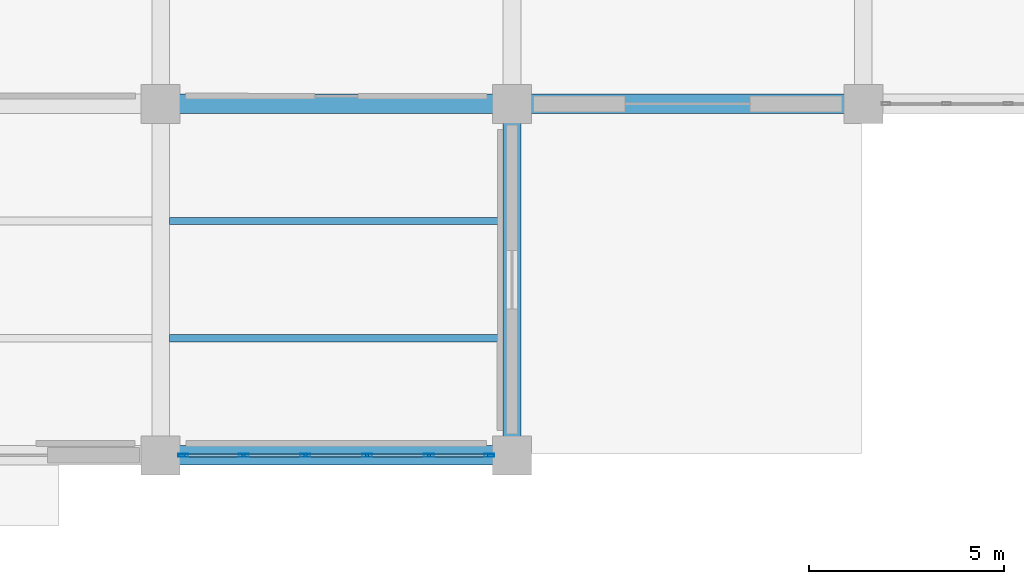
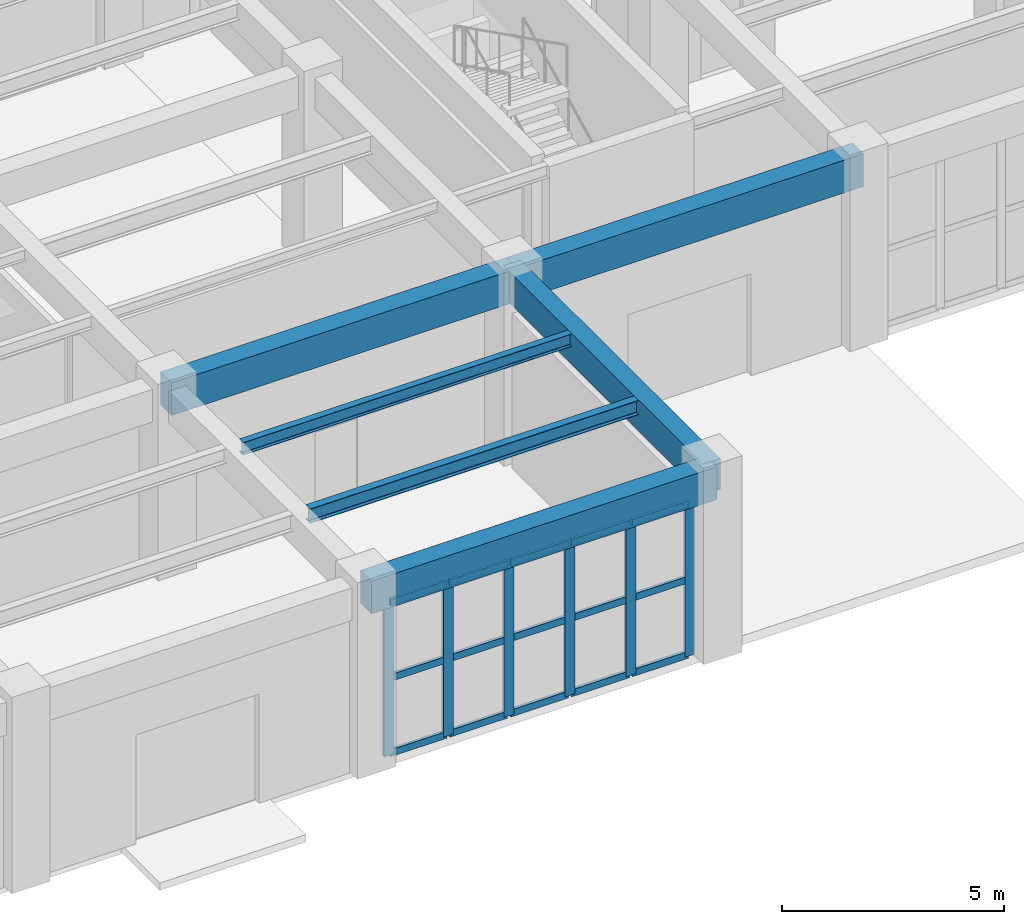
# One storey, part 77 of 140: 21 members, 6 beams, 1 element without a shape of its own.
"""IFC4 building model written with IfcOpenShell, lengths in metres."""

from ifc_helpers import new_model, si_unit, direction, frame, origin, origin_2d, place, context, subcontext, project, spatial, rectangle, hollow_rectangle, i_section, extrude, material, material_profile, profile_set, type_object, element, aggregate, save


model = new_model("IFC4")

# Units and contexts
model_context = context("Model", 3, precision=1e-05, world=origin(), true_north=direction((0.0, 1.0)))
body_context = subcontext(model_context, "Body", "Model", "MODEL_VIEW")
ifc_project = project(units=[si_unit("LENGTHUNIT", "METRE"), si_unit("AREAUNIT", "SQUARE_METRE"), si_unit("VOLUMEUNIT", "CUBIC_METRE"), si_unit("PLANEANGLEUNIT", "RADIAN"), si_unit("MASSUNIT", "GRAM", prefix="KILO")], contexts=[model_context])

# Site, building, storey
site_placement = place(None, origin())
site = spatial("IfcSite", under=ifc_project, at=site_placement, CompositionType="ELEMENT")
building_placement = place(site_placement, origin())
building = spatial("IfcBuilding", under=site, at=building_placement, Name="Haizhuo Lancet Aquarium", CompositionType="ELEMENT")
storey_placement = place(building_placement, origin())
storey = spatial("IfcBuildingStorey", under=building, at=storey_placement, Name="L00", CompositionType="ELEMENT", Elevation=0.0)

# Beams
ifc_material_1 = material(Name="Concrete C40/50", Category="concrete")
ifc_material_profile_1 = material_profile(ifc_material_1, rectangle(XDim=0.449951171875, YDim=0.85009765625, at=origin_2d()), Name="RC-BM 450x850")
ifc_profile_set_1 = profile_set([ifc_material_profile_1], Name="Concrete C40/50")
beam_type_1 = type_object("IfcBeamType", Name="BM-RC-450x850", PredefinedType="BEAM", material=ifc_profile_set_1)
beam_1_placement = place(storey_placement, frame((54.0, -36.0, 4.695068359375), z_axis=(0.0, 1.0, 0.0), x_axis=(-1.0, 0.0, 0.0)))
element("IfcBeam", 1, at=beam_1_placement, inside=storey, type_object=beam_type_1, Name="L00 V3 primary girder BM-L00-V3-021", PredefinedType="BEAM", context=body_context, shape_type="SweptSolid", body=[
    extrude(rectangle(XDim=0.449951171875, YDim=0.85009765625, at=origin_2d()), origin(), (0.0, 0.0, 1.0), 9.0),
])
ifc_material_profile_2 = material_profile(ifc_material_1, rectangle(XDim=0.5, YDim=0.89990234375, at=origin_2d()), Name="RC-BM 500x900")
ifc_profile_set_2 = profile_set([ifc_material_profile_2], Name="Concrete C40/50")
beam_type_2 = type_object("IfcBeamType", Name="BM-RC-500x900", PredefinedType="BEAM", material=ifc_profile_set_2)
for number, where, z_axis, x_axis, name in (
    (2, (45.0, -36.0, 4.669921875), (1.0, 0.0, 0.0), (0.0, 1.0, 0.0), "L00 V3 primary girder BM-L00-V3-015"),
    (3, (45.0, -27.0, 4.669921875), (1.0, 0.0, 0.0), (0.0, 1.0, 0.0), "L00 V3 primary girder BM-L00-V3-017"),
    (4, (54.0, -27.0, 4.669921875), (1.0, 0.0, 0.0), (0.0, 1.0, 0.0), "L00 V3 primary girder BM-L00-V3-023"),
):
    element("IfcBeam", number, at=place(storey_placement, frame(where, z_axis=z_axis, x_axis=x_axis)), inside=storey, type_object=beam_type_2, Name=name, PredefinedType="BEAM", context=body_context, shape_type="SweptSolid", body=[
        extrude(rectangle(XDim=0.5, YDim=0.89990234375, at=origin_2d()), origin(), (0.0, 0.0, 1.0), 9.0),
    ])

# Curtain wall, members
ifc_material_2 = material(Name="Aluminium 6063-T6", Category="aluminium")
curtain_wall_type = type_object("IfcCurtainWallType", Name="CWO-7910x4220", PredefinedType="NOTDEFINED", material=ifc_material_2)
curtain_wall_placement = place(storey_placement, origin())
curtain_wall = element("IfcCurtainWall", 5, at=curtain_wall_placement, inside=storey, type_object=curtain_wall_type, Name="L00 curtain wall CW-V3-L00-036", PredefinedType="NOTDEFINED")
ifc_material_profile_3 = material_profile(ifc_material_2, hollow_rectangle(XDim=0.080078125, YDim=0.260009765625, WallThickness=0.0048828125, at=origin_2d()), Name="ALU-M 80x260x5")
ifc_profile_set_3 = profile_set([ifc_material_profile_3], Name="Aluminium 6063-T6")
member_type_1 = type_object("IfcMemberType", Name="CW-MUL-3", PredefinedType="MULLION", material=ifc_profile_set_3)
member_1_placement = place(storey_placement, frame((53.4150390625, -36.0, 0.0), z_axis=(0.0, 0.0, 1.0), x_axis=(0.0, -1.0, 0.0)))
member_1 = element("IfcMember", 6, at=member_1_placement, type_object=member_type_1, Name="CWO-79x42 mullion 1", PredefinedType="MULLION", context=body_context, shape_type="SweptSolid", body=[
    extrude(hollow_rectangle(XDim=0.080078125, YDim=0.260009765625, WallThickness=0.0048828125, at=origin_2d()), origin(), (0.0, 0.0, 1.0), 4.219970703125),
])
member_2_placement = place(storey_placement, frame((51.873046875, -36.0, 0.0), z_axis=(0.0, 0.0, 1.0), x_axis=(0.0, -1.0, 0.0)))
member_2 = element("IfcMember", 7, at=member_2_placement, type_object=member_type_1, Name="CWO-79x42 mullion 2", PredefinedType="MULLION", context=body_context, shape_type="SweptSolid", body=[
    extrude(hollow_rectangle(XDim=0.080078125, YDim=0.260009765625, WallThickness=0.0048828125, at=origin_2d()), origin(), (0.0, 0.0, 1.0), 4.219970703125),
])
member_3_placement = place(storey_placement, frame((50.291015625, -36.0, 0.0), z_axis=(0.0, 0.0, 1.0), x_axis=(0.0, -1.0, 0.0)))
member_3 = element("IfcMember", 8, at=member_3_placement, type_object=member_type_1, Name="CWO-79x42 mullion 3", PredefinedType="MULLION", context=body_context, shape_type="SweptSolid", body=[
    extrude(hollow_rectangle(XDim=0.080078125, YDim=0.260009765625, WallThickness=0.0048828125, at=origin_2d()), origin(), (0.0, 0.0, 1.0), 4.219970703125),
])
member_4_placement = place(storey_placement, frame((48.708984375, -36.0, 0.0), z_axis=(0.0, 0.0, 1.0), x_axis=(0.0, -1.0, 0.0)))
member_4 = element("IfcMember", 9, at=member_4_placement, type_object=member_type_1, Name="CWO-79x42 mullion 4", PredefinedType="MULLION", context=body_context, shape_type="SweptSolid", body=[
    extrude(hollow_rectangle(XDim=0.080078125, YDim=0.260009765625, WallThickness=0.0048828125, at=origin_2d()), origin(), (0.0, 0.0, 1.0), 4.219970703125),
])
member_5_placement = place(storey_placement, frame((47.126953125, -36.0, 0.0), z_axis=(0.0, 0.0, 1.0), x_axis=(0.0, -1.0, 0.0)))
member_5 = element("IfcMember", 10, at=member_5_placement, type_object=member_type_1, Name="CWO-79x42 mullion 5", PredefinedType="MULLION", context=body_context, shape_type="SweptSolid", body=[
    extrude(hollow_rectangle(XDim=0.080078125, YDim=0.260009765625, WallThickness=0.0048828125, at=origin_2d()), origin(), (0.0, 0.0, 1.0), 4.219970703125),
])
member_6_placement = place(storey_placement, frame((45.5849609375, -36.0, 0.0), z_axis=(0.0, 0.0, 1.0), x_axis=(0.0, -1.0, 0.0)))
member_6 = element("IfcMember", 11, at=member_6_placement, type_object=member_type_1, Name="CWO-79x42 mullion 6", PredefinedType="MULLION", context=body_context, shape_type="SweptSolid", body=[
    extrude(hollow_rectangle(XDim=0.080078125, YDim=0.260009765625, WallThickness=0.0048828125, at=origin_2d()), origin(), (0.0, 0.0, 1.0), 4.219970703125),
])
ifc_material_profile_4 = material_profile(ifc_material_2, hollow_rectangle(XDim=0.080078125, YDim=0.18994140625, WallThickness=0.0048828125, at=origin_2d()), Name="ALU-T 80x190x5")
ifc_profile_set_4 = profile_set([ifc_material_profile_4], Name="Aluminium 6063-T6")
member_type_2 = type_object("IfcMemberType", Name="CW-TRN-3", PredefinedType="NOTDEFINED", material=ifc_profile_set_4)
member_7_placement = place(storey_placement, frame((53.375, -36.0, 0.0400390625), z_axis=(-1.0, 0.0, 0.0), x_axis=(0.0, -1.0, 0.0)))
member_7 = element("IfcMember", 12, at=member_7_placement, type_object=member_type_2, Name="CWO-79x42 transom 1.1", ObjectType="TRANSOM", PredefinedType="USERDEFINED", context=body_context, shape_type="SweptSolid", body=[
    extrude(hollow_rectangle(XDim=0.080078125, YDim=0.18994140625, WallThickness=0.0048828125, at=origin_2d()), origin(), (0.0, 0.0, 1.0), 1.4619140625),
])
member_8_placement = place(storey_placement, frame((53.375, -36.0, 2.110107421875), z_axis=(-1.0, 0.0, 0.0), x_axis=(0.0, -1.0, 0.0)))
member_8 = element("IfcMember", 13, at=member_8_placement, type_object=member_type_2, Name="CWO-79x42 transom 1.2", ObjectType="TRANSOM", PredefinedType="USERDEFINED", context=body_context, shape_type="SweptSolid", body=[
    extrude(hollow_rectangle(XDim=0.080078125, YDim=0.18994140625, WallThickness=0.0048828125, at=origin_2d()), origin(), (0.0, 0.0, 1.0), 1.4619140625),
])
member_9_placement = place(storey_placement, frame((53.375, -36.0, 4.179931640625), z_axis=(-1.0, 0.0, 0.0), x_axis=(0.0, -1.0, 0.0)))
member_9 = element("IfcMember", 14, at=member_9_placement, type_object=member_type_2, Name="CWO-79x42 transom 1.3", ObjectType="TRANSOM", PredefinedType="USERDEFINED", context=body_context, shape_type="SweptSolid", body=[
    extrude(hollow_rectangle(XDim=0.080078125, YDim=0.18994140625, WallThickness=0.0048828125, at=origin_2d()), origin(), (0.0, 0.0, 1.0), 1.4619140625),
])
member_10_placement = place(storey_placement, frame((51.8330078125, -36.0, 0.0400390625), z_axis=(-1.0, 0.0, 0.0), x_axis=(0.0, -1.0, 0.0)))
member_10 = element("IfcMember", 15, at=member_10_placement, type_object=member_type_2, Name="CWO-79x42 transom 2.1", ObjectType="TRANSOM", PredefinedType="USERDEFINED", context=body_context, shape_type="SweptSolid", body=[
    extrude(hollow_rectangle(XDim=0.080078125, YDim=0.18994140625, WallThickness=0.0048828125, at=origin_2d()), origin(), (0.0, 0.0, 1.0), 1.501953125),
])
member_11_placement = place(storey_placement, frame((51.8330078125, -36.0, 2.110107421875), z_axis=(-1.0, 0.0, 0.0), x_axis=(0.0, -1.0, 0.0)))
member_11 = element("IfcMember", 16, at=member_11_placement, type_object=member_type_2, Name="CWO-79x42 transom 2.2", ObjectType="TRANSOM", PredefinedType="USERDEFINED", context=body_context, shape_type="SweptSolid", body=[
    extrude(hollow_rectangle(XDim=0.080078125, YDim=0.18994140625, WallThickness=0.0048828125, at=origin_2d()), origin(), (0.0, 0.0, 1.0), 1.501953125),
])
member_12_placement = place(storey_placement, frame((51.8330078125, -36.0, 4.179931640625), z_axis=(-1.0, 0.0, 0.0), x_axis=(0.0, -1.0, 0.0)))
member_12 = element("IfcMember", 17, at=member_12_placement, type_object=member_type_2, Name="CWO-79x42 transom 2.3", ObjectType="TRANSOM", PredefinedType="USERDEFINED", context=body_context, shape_type="SweptSolid", body=[
    extrude(hollow_rectangle(XDim=0.080078125, YDim=0.18994140625, WallThickness=0.0048828125, at=origin_2d()), origin(), (0.0, 0.0, 1.0), 1.501953125),
])
member_13_placement = place(storey_placement, frame((50.2509765625, -36.0, 0.0400390625), z_axis=(-1.0, 0.0, 0.0), x_axis=(0.0, -1.0, 0.0)))
member_13 = element("IfcMember", 18, at=member_13_placement, type_object=member_type_2, Name="CWO-79x42 transom 3.1", ObjectType="TRANSOM", PredefinedType="USERDEFINED", context=body_context, shape_type="SweptSolid", body=[
    extrude(hollow_rectangle(XDim=0.080078125, YDim=0.18994140625, WallThickness=0.0048828125, at=origin_2d()), origin(), (0.0, 0.0, 1.0), 1.501953125),
])
member_14_placement = place(storey_placement, frame((50.2509765625, -36.0, 2.110107421875), z_axis=(-1.0, 0.0, 0.0), x_axis=(0.0, -1.0, 0.0)))
member_14 = element("IfcMember", 19, at=member_14_placement, type_object=member_type_2, Name="CWO-79x42 transom 3.2", ObjectType="TRANSOM", PredefinedType="USERDEFINED", context=body_context, shape_type="SweptSolid", body=[
    extrude(hollow_rectangle(XDim=0.080078125, YDim=0.18994140625, WallThickness=0.0048828125, at=origin_2d()), origin(), (0.0, 0.0, 1.0), 1.501953125),
])
member_15_placement = place(storey_placement, frame((50.2509765625, -36.0, 4.179931640625), z_axis=(-1.0, 0.0, 0.0), x_axis=(0.0, -1.0, 0.0)))
member_15 = element("IfcMember", 20, at=member_15_placement, type_object=member_type_2, Name="CWO-79x42 transom 3.3", ObjectType="TRANSOM", PredefinedType="USERDEFINED", context=body_context, shape_type="SweptSolid", body=[
    extrude(hollow_rectangle(XDim=0.080078125, YDim=0.18994140625, WallThickness=0.0048828125, at=origin_2d()), origin(), (0.0, 0.0, 1.0), 1.501953125),
])
member_16_placement = place(storey_placement, frame((48.6689453125, -36.0, 0.0400390625), z_axis=(-1.0, 0.0, 0.0), x_axis=(0.0, -1.0, 0.0)))
member_16 = element("IfcMember", 21, at=member_16_placement, type_object=member_type_2, Name="CWO-79x42 transom 4.1", ObjectType="TRANSOM", PredefinedType="USERDEFINED", context=body_context, shape_type="SweptSolid", body=[
    extrude(hollow_rectangle(XDim=0.080078125, YDim=0.18994140625, WallThickness=0.0048828125, at=origin_2d()), origin(), (0.0, 0.0, 1.0), 1.501953125),
])
member_17_placement = place(storey_placement, frame((48.6689453125, -36.0, 2.110107421875), z_axis=(-1.0, 0.0, 0.0), x_axis=(0.0, -1.0, 0.0)))
member_17 = element("IfcMember", 22, at=member_17_placement, type_object=member_type_2, Name="CWO-79x42 transom 4.2", ObjectType="TRANSOM", PredefinedType="USERDEFINED", context=body_context, shape_type="SweptSolid", body=[
    extrude(hollow_rectangle(XDim=0.080078125, YDim=0.18994140625, WallThickness=0.0048828125, at=origin_2d()), origin(), (0.0, 0.0, 1.0), 1.501953125),
])
member_18_placement = place(storey_placement, frame((48.6689453125, -36.0, 4.179931640625), z_axis=(-1.0, 0.0, 0.0), x_axis=(0.0, -1.0, 0.0)))
member_18 = element("IfcMember", 23, at=member_18_placement, type_object=member_type_2, Name="CWO-79x42 transom 4.3", ObjectType="TRANSOM", PredefinedType="USERDEFINED", context=body_context, shape_type="SweptSolid", body=[
    extrude(hollow_rectangle(XDim=0.080078125, YDim=0.18994140625, WallThickness=0.0048828125, at=origin_2d()), origin(), (0.0, 0.0, 1.0), 1.501953125),
])
member_19_placement = place(storey_placement, frame((47.0869140625, -36.0, 0.0400390625), z_axis=(-1.0, 0.0, 0.0), x_axis=(0.0, -1.0, 0.0)))
member_19 = element("IfcMember", 24, at=member_19_placement, type_object=member_type_2, Name="CWO-79x42 transom 5.1", ObjectType="TRANSOM", PredefinedType="USERDEFINED", context=body_context, shape_type="SweptSolid", body=[
    extrude(hollow_rectangle(XDim=0.080078125, YDim=0.18994140625, WallThickness=0.0048828125, at=origin_2d()), origin(), (0.0, 0.0, 1.0), 1.4619140625),
])
member_20_placement = place(storey_placement, frame((47.0869140625, -36.0, 2.110107421875), z_axis=(-1.0, 0.0, 0.0), x_axis=(0.0, -1.0, 0.0)))
member_20 = element("IfcMember", 25, at=member_20_placement, type_object=member_type_2, Name="CWO-79x42 transom 5.2", ObjectType="TRANSOM", PredefinedType="USERDEFINED", context=body_context, shape_type="SweptSolid", body=[
    extrude(hollow_rectangle(XDim=0.080078125, YDim=0.18994140625, WallThickness=0.0048828125, at=origin_2d()), origin(), (0.0, 0.0, 1.0), 1.4619140625),
])
member_21_placement = place(storey_placement, frame((47.0869140625, -36.0, 4.179931640625), z_axis=(-1.0, 0.0, 0.0), x_axis=(0.0, -1.0, 0.0)))
member_21 = element("IfcMember", 26, at=member_21_placement, type_object=member_type_2, Name="CWO-79x42 transom 5.3", ObjectType="TRANSOM", PredefinedType="USERDEFINED", context=body_context, shape_type="SweptSolid", body=[
    extrude(hollow_rectangle(XDim=0.080078125, YDim=0.18994140625, WallThickness=0.0048828125, at=origin_2d()), origin(), (0.0, 0.0, 1.0), 1.4619140625),
])
aggregate(curtain_wall, [member_1, member_2, member_3, member_4, member_5, member_6, member_7, member_8, member_9, member_10, member_11, member_12, member_13, member_14, member_15, member_16, member_17, member_18, member_19, member_20, member_21])

# Beams
ifc_material_3 = material(Name="Steel S355", Category="steel")
ifc_material_profile_5 = material_profile(ifc_material_3, i_section(OverallWidth=0.175048828125, OverallDepth=0.35009765625, WebThickness=0.007080078125, FlangeThickness=0.010986328125, FilletRadius=0.013916015625, at=origin_2d()), Name="HN 350x175x7x11")
ifc_profile_set_5 = profile_set([ifc_material_profile_5], Name="Steel S355")
beam_type_3 = type_object("IfcBeamType", Name="JST-ST-HN350", PredefinedType="JOIST", material=ifc_profile_set_5)
beam_2_placement = place(storey_placement, frame((45.22509765625, -30.0, 4.945068359375), z_axis=(1.0, 0.0, 0.0), x_axis=(0.0, 1.0, 0.0)))
element("IfcBeam", 27, at=beam_2_placement, inside=storey, type_object=beam_type_3, Name="L00 V3 secondary floor joist 12", PredefinedType="JOIST", context=body_context, shape_type="SweptSolid", body=[
    extrude(i_section(OverallWidth=0.175048828125, OverallDepth=0.35009765625, WebThickness=0.007080078125, FlangeThickness=0.010986328125, FilletRadius=0.013916015625, at=origin_2d()), origin(), (0.0, 0.0, 1.0), 8.5498046875),
])
ifc_material_profile_6 = material_profile(ifc_material_3, i_section(OverallWidth=0.199951171875, OverallDepth=0.39990234375, WebThickness=0.008056640625, FlangeThickness=0.012939453125, FilletRadius=0.01611328125, at=origin_2d()), Name="HN 400x200x8x13")
ifc_profile_set_6 = profile_set([ifc_material_profile_6], Name="Steel S355")
beam_type_4 = type_object("IfcBeamType", Name="JST-ST-HN400", PredefinedType="JOIST", material=ifc_profile_set_6)
beam_3_placement = place(storey_placement, frame((45.22509765625, -33.0, 4.919921875), z_axis=(1.0, 0.0, 0.0), x_axis=(0.0, 1.0, 0.0)))
element("IfcBeam", 28, at=beam_3_placement, inside=storey, type_object=beam_type_4, Name="L00 V3 secondary floor joist 11", PredefinedType="JOIST", context=body_context, shape_type="SweptSolid", body=[
    extrude(i_section(OverallWidth=0.199951171875, OverallDepth=0.39990234375, WebThickness=0.008056640625, FlangeThickness=0.012939453125, FilletRadius=0.01611328125, at=origin_2d()), origin(), (0.0, 0.0, 1.0), 8.5498046875),
])

save(model, "model.ifc")
